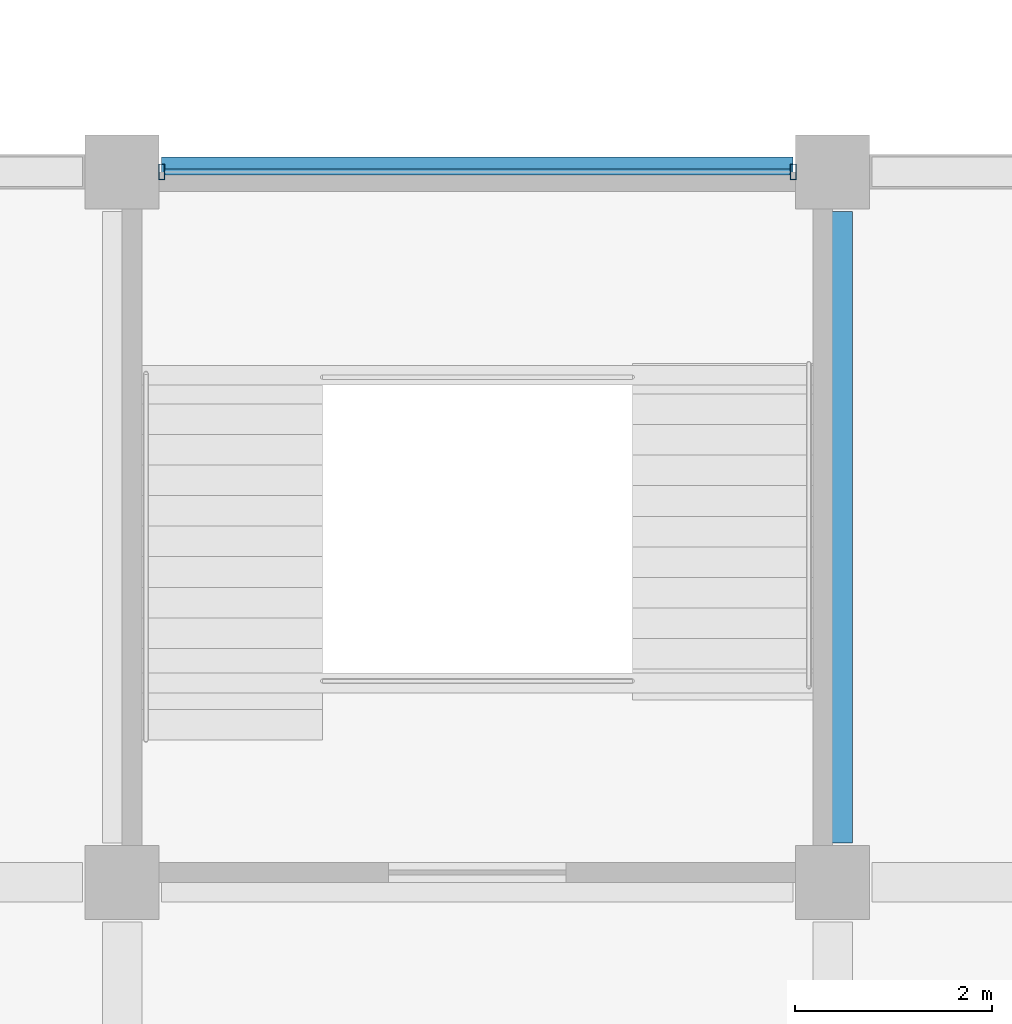
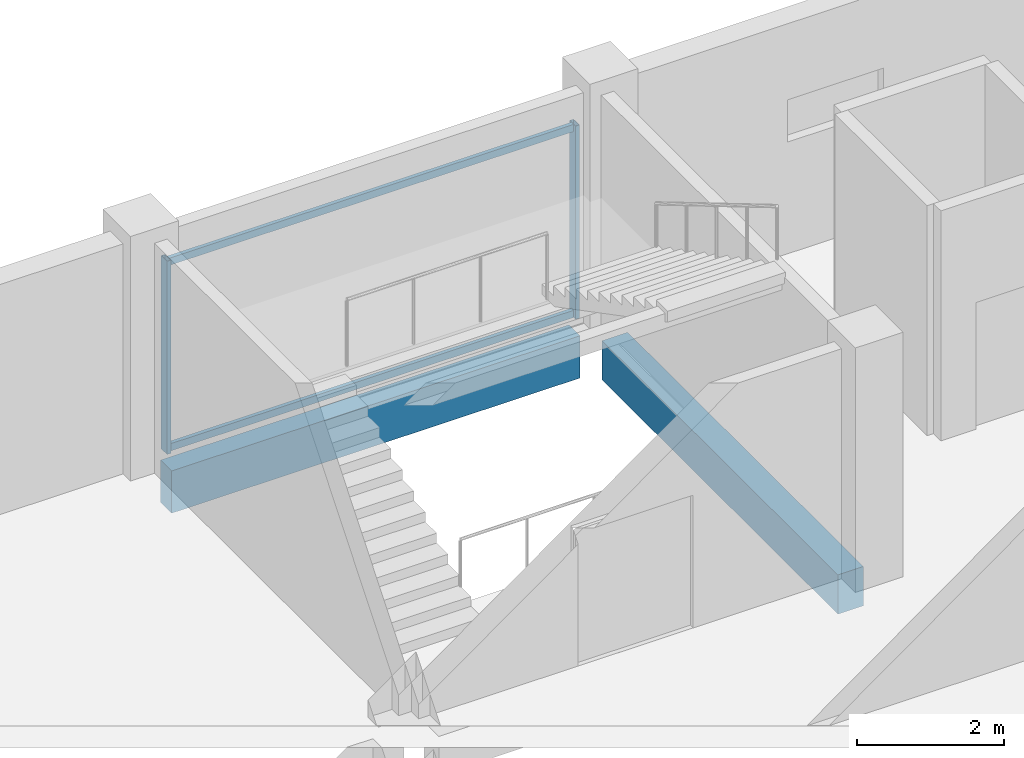
# One storey, part 54 of 107: 4 members, 2 beams, 1 element without a shape of its own.
"""IFC4 building model written with IfcOpenShell, lengths in metres."""

from ifc_helpers import new_model, si_unit, direction, frame, origin, origin_2d, place, context, subcontext, project, spatial, rectangle, hollow_rectangle, extrude, material, layer, layer_set, material_profile, profile_set, type_object, element, aggregate, save


model = new_model("IFC4")

# Units and contexts
model_context = context("Model", 3, precision=1e-05, world=origin(), true_north=direction((0.0, 1.0)))
body_context = subcontext(model_context, "Body", "Model", "MODEL_VIEW")
ifc_project = project(units=[si_unit("LENGTHUNIT", "METRE"), si_unit("AREAUNIT", "SQUARE_METRE"), si_unit("VOLUMEUNIT", "CUBIC_METRE"), si_unit("PLANEANGLEUNIT", "RADIAN"), si_unit("MASSUNIT", "GRAM", prefix="KILO")], contexts=[model_context])

# Site, building, storey
site_placement = place(None, origin())
site = spatial("IfcSite", under=ifc_project, at=site_placement, CompositionType="ELEMENT")
building_placement = place(site_placement, origin())
building = spatial("IfcBuilding", under=site, at=building_placement, Name="Kangsadwip Square Police Headquarters", CompositionType="ELEMENT")
storey_placement = place(building_placement, frame((0.0, 0.0, 5.39990234375)))
storey = spatial("IfcBuildingStorey", under=building, at=storey_placement, Name="L01", CompositionType="ELEMENT", Elevation=5.39990234375)

# Curtain wall, members
ifc_material_1 = material(Name="Thermally broken anodised aluminium AW-6063-T6", Category="aluminium")
ifc_layer = layer(ifc_material_1, 0.159912109375)
ifc_layer_set = layer_set([ifc_layer], Name="Thermally broken anodised aluminium AW-6063-T6")
curtain_wall_type = type_object("IfcCurtainWallType", Name="CourtScreen6460x3200", PredefinedType="USERDEFINED", material=ifc_layer_set)
curtain_wall_placement = place(storey_placement, origin())
curtain_wall = element("IfcCurtainWall", 1, at=curtain_wall_placement, inside=storey, type_object=curtain_wall_type, Name="Curtain Wall CW-L01-1300-0360", ObjectType="GLAZED_SCREEN", PredefinedType="USERDEFINED")
ifc_material_2 = material(Name="Thermally broken anodised aluminium AW-6063-T6", Category="aluminium")
ifc_material_profile_1 = material_profile(ifc_material_2, hollow_rectangle(XDim=0.06005859375, YDim=0.159912109375, WallThickness=0.00390625, at=origin_2d()), Name="CWM 160X60X4")
ifc_profile_set_1 = profile_set([ifc_material_profile_1], Name="Thermally broken anodised aluminium AW-6063-T6")
member_type_1 = type_object("IfcMemberType", Name="CwMullion135x60", PredefinedType="MULLION", material=ifc_profile_set_1)
member_1_placement = place(storey_placement, frame((130.0, 36.0, 0.0), z_axis=(0.0, 0.0, 1.0), x_axis=(1.0, 0.0, 0.0)))
member_1 = element("IfcMember", 2, at=member_1_placement, type_object=member_type_1, Name="CW-16 mullion 1", PredefinedType="MULLION", context=body_context, shape_type="SweptSolid", body=[
    extrude(hollow_rectangle(XDim=0.06005859375, YDim=0.159912109375, WallThickness=0.00390625, at=origin_2d()), origin(), (0.0, 0.0, 1.0), 3.2001953125),
])
member_2_placement = place(storey_placement, frame((136.39990234375, 36.0, 0.0), z_axis=(0.0, 0.0, 1.0), x_axis=(1.0, 0.0, 0.0)))
member_2 = element("IfcMember", 3, at=member_2_placement, type_object=member_type_1, Name="CW-16 mullion 2", PredefinedType="MULLION", context=body_context, shape_type="SweptSolid", body=[
    extrude(hollow_rectangle(XDim=0.06005859375, YDim=0.159912109375, WallThickness=0.00390625, at=origin_2d()), origin(), (0.0, 0.0, 1.0), 3.2001953125),
])
ifc_material_3 = material(Name="Thermally broken anodised aluminium AW-6063-T6", Category="aluminium")
ifc_material_profile_2 = material_profile(ifc_material_3, hollow_rectangle(XDim=0.06005859375, YDim=0.1201171875, WallThickness=0.00390625, at=origin_2d()), Name="CWT 120X60X4")
ifc_profile_set_2 = profile_set([ifc_material_profile_2], Name="Thermally broken anodised aluminium AW-6063-T6")
member_type_2 = type_object("IfcMemberType", Name="CwTransom120x55", PredefinedType="USERDEFINED", material=ifc_profile_set_2)
member_3_placement = place(storey_placement, frame((130.030029296875, 36.0, 0.06005859375), z_axis=(1.0, 0.0, 0.0), x_axis=(0.0, 1.0, 0.0)))
member_3 = element("IfcMember", 4, at=member_3_placement, type_object=member_type_2, Name="CW-16 transom 1.1", ObjectType="TRANSOM", PredefinedType="USERDEFINED", context=body_context, shape_type="SweptSolid", body=[
    extrude(hollow_rectangle(XDim=0.06005859375, YDim=0.1201171875, WallThickness=0.00390625, at=origin_2d()), origin(), (0.0, 0.0, 1.0), 6.340087890625),
])
member_4_placement = place(storey_placement, frame((130.030029296875, 36.0, 3.14013671875), z_axis=(1.0, 0.0, 0.0), x_axis=(0.0, 1.0, 0.0)))
member_4 = element("IfcMember", 5, at=member_4_placement, type_object=member_type_2, Name="CW-16 transom 1.2", ObjectType="TRANSOM", PredefinedType="USERDEFINED", context=body_context, shape_type="SweptSolid", body=[
    extrude(hollow_rectangle(XDim=0.06005859375, YDim=0.1201171875, WallThickness=0.00390625, at=origin_2d()), origin(), (0.0, 0.0, 1.0), 6.340087890625),
])
aggregate(curtain_wall, [member_1, member_2, member_3, member_4])

# Beams
ifc_material_4 = material(Name="Concrete M35 (35 MPa)", Category="concrete")
ifc_material_profile_3 = material_profile(ifc_material_4, rectangle(XDim=0.39990234375, YDim=0.64990234375, at=origin_2d()), Name="RC BM 650X400")
ifc_profile_set_3 = profile_set([ifc_material_profile_3], Name="Concrete M35 (35 MPa)")
beam_type_1 = type_object("IfcBeamType", Name="RcBeam650x400", PredefinedType="BEAM", material=ifc_profile_set_3)
beam_1_placement = place(storey_placement, frame((136.800048828125, 29.199951171875, -0.56494140625), z_axis=(0.0, 1.0, 0.0), x_axis=(-1.0, 0.0, 0.0)))
element("IfcBeam", 6, at=beam_1_placement, inside=storey, type_object=beam_type_1, Name="Beam BM-L01-Y-19-04", PredefinedType="BEAM", context=body_context, shape_type="SweptSolid", body=[
    extrude(rectangle(XDim=0.39990234375, YDim=0.64990234375, at=origin_2d()), origin(), (0.0, 0.0, 1.0), 6.400146484375),
])
ifc_material_5 = material(Name="Concrete M40 (40 MPa)", Category="concrete")
ifc_material_profile_4 = material_profile(ifc_material_5, rectangle(XDim=0.300048828125, YDim=0.699951171875, at=origin_2d()), Name="RC SPN 700X300")
ifc_profile_set_4 = profile_set([ifc_material_profile_4], Name="Concrete M40 (40 MPa)")
beam_type_2 = type_object("IfcBeamType", Name="RcSpandrel700x300", PredefinedType="SPANDREL", material=ifc_profile_set_4)
beam_2_placement = place(storey_placement, frame((130.0, 36.0, -0.58984375), z_axis=(1.0, 0.0, 0.0), x_axis=(0.0, 1.0, 0.0)))
element("IfcBeam", 7, at=beam_2_placement, inside=storey, type_object=beam_type_2, Name="Beam BM-L01-X-18-05", PredefinedType="SPANDREL", context=body_context, shape_type="SweptSolid", body=[
    extrude(rectangle(XDim=0.300048828125, YDim=0.699951171875, at=origin_2d()), origin(), (0.0, 0.0, 1.0), 6.39990234375),
])

save(model, "model.ifc")
